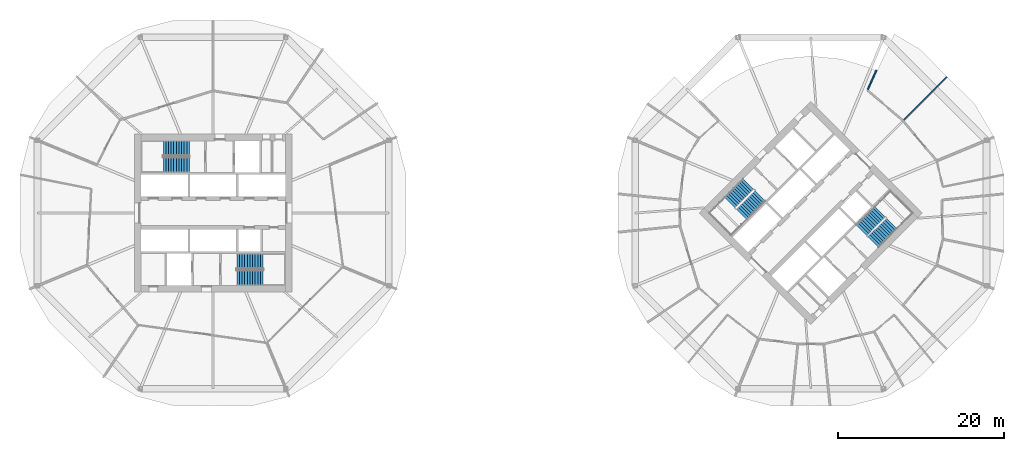
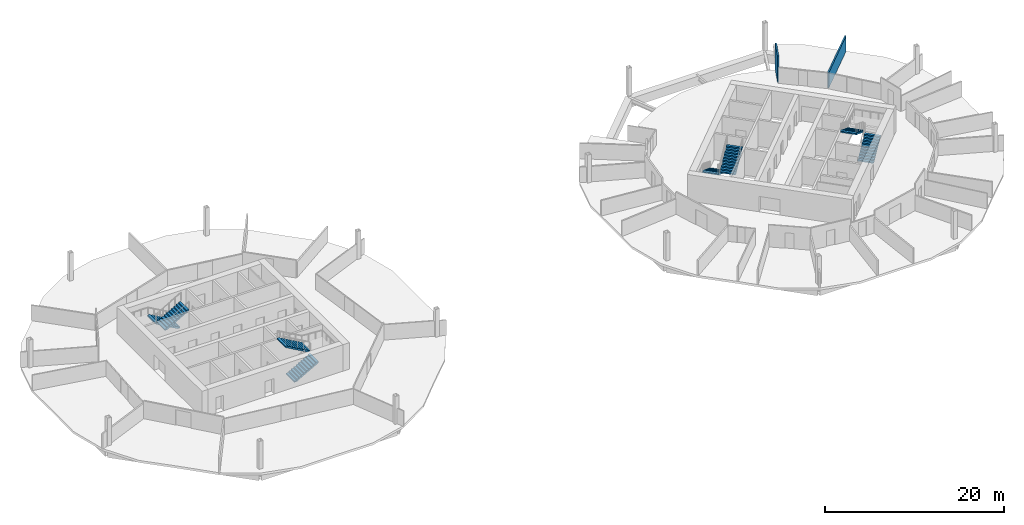
# One storey, part 8 of 9: 8 stair flights, 2 walls, 4 elements without a shape of their own.
"""IFC4 building model written with IfcOpenShell, lengths in metres."""

from ifc_helpers import new_model, si_unit, direction, frame, frame_2d, origin, place, context, subcontext, project, spatial, polyline, rectangle, outline, extrude, material, layer, layer_set, type_object, element, aggregate, save


model = new_model("IFC4")

# Units and contexts
model_context = context("Model", 3, precision=1e-05, world=origin(), true_north=direction((0.0, 1.0)))
body_context = subcontext(model_context, "Body", "Model", "MODEL_VIEW")
ifc_project = project(units=[si_unit("LENGTHUNIT", "METRE"), si_unit("AREAUNIT", "SQUARE_METRE"), si_unit("VOLUMEUNIT", "CUBIC_METRE"), si_unit("PLANEANGLEUNIT", "RADIAN"), si_unit("MASSUNIT", "GRAM", prefix="KILO")], contexts=[model_context])

# Site, building, storey
site_placement = place(None, origin())
site = spatial("IfcSite", under=ifc_project, at=site_placement, CompositionType="ELEMENT")
building_placement = place(site_placement, origin())
building = spatial("IfcBuilding", under=site, at=building_placement, Name="Ogive Gate Towers", CompositionType="ELEMENT")
storey_placement = place(building_placement, frame((0.0, 0.0, 67.5)))
storey = spatial("IfcBuildingStorey", under=building, at=storey_placement, Name="L15", CompositionType="ELEMENT", Elevation=67.5)

# Walls
ifc_material_1 = material(Name="Gypsum board acoustic partition")
ifc_layer = layer(ifc_material_1, 0.175048828125)
ifc_layer_set = layer_set([ifc_layer], Name="Acoustic partition 175")
wall_type = type_object("IfcWallType", Name="Acoustic partition 175", PredefinedType="PARTITIONING", material=ifc_layer_set)
wall_1_placement = place(storey_placement, frame((52.411376953125, 16.411376953125, 0.0), z_axis=(0.0, 0.0, 1.0), x_axis=(-0.707106781187, -0.707106781187, 0.0)))
element("IfcWall", 1, at=wall_1_placement, inside=storey, type_object=wall_type, Name="Partition T2-L15-004", PredefinedType="PARTITIONING", context=body_context, shape_type="SweptSolid", body=[
    extrude(rectangle(XDim=7.40673828125, YDim=0.175048828125, at=frame_2d((3.703369140625, 0.0))), origin(), (0.0, 0.0, 1.0), 2.10009765625),
])
wall_2_placement = place(storey_placement, frame((43.919189453125, 17.218994140625, 0.0), z_axis=(0.0, 0.0, 1.0), x_axis=(-0.411528057748, -0.911397091112, 0.0)))
element("IfcWall", 2, at=wall_2_placement, inside=storey, type_object=wall_type, Name="Partition T2-L15-005", PredefinedType="PARTITIONING", context=body_context, shape_type="SweptSolid", body=[
    extrude(rectangle(XDim=2.564697265625, YDim=0.175048828125, at=frame_2d((1.2822265625, 0.0))), origin(), (0.0, 0.0, 1.0), 3.60009765625),
])

# Stair, stair flights
ifc_material_2 = material(Name="Concrete C40/50", Category="concrete")
stair_type = type_object("IfcStairType", Name="Escape stair 1840 wide", PredefinedType="HALF_TURN_STAIR", material=ifc_material_2)
stair_1_placement = place(storey_placement, origin())
stair_1 = element("IfcStair", 3, at=stair_1_placement, inside=storey, type_object=stair_type, Name="L15 Escape stair 1", PredefinedType="HALF_TURN_STAIR")
stair_flight_type = type_object("IfcStairFlightType", Name="Stair flight 1840 wide", PredefinedType="STRAIGHT", material=ifc_material_2)
stair_flight_1_placement = place(storey_placement, frame((-38.864990234375, 7.780029296875, 0.0), z_axis=(0.0, 0.0, 1.0), x_axis=(-1.0, 0.0, 0.0)))
stair_flight_1 = element("IfcStairFlight", 4, at=stair_flight_1_placement, type_object=stair_flight_type, Name="ST1 flight 1", NumberOfRisers=11, NumberOfTreads=10, PredefinedType="STRAIGHT", RiserHeight=0.177272727, TreadLength=0.313636364, context=body_context, shape_type="SweptSolid", body=[
    extrude(outline(polyline([(0.0, 0.0), (0.0, 0.17724609375), (0.313720703125, 0.17724609375), (0.313720703125, 0.3544921875), (0.627197265625, 0.3544921875), (0.627197265625, 0.53173828125), (0.94091796875, 0.53173828125), (0.94091796875, 0.708984375), (1.254638671875, 0.708984375), (1.254638671875, 0.886474609375), (1.568115234375, 0.886474609375), (1.568115234375, 1.063720703125), (1.8818359375, 1.063720703125), (1.8818359375, 1.240966796875), (2.195556640625, 1.240966796875), (2.195556640625, 1.418212890625), (2.509033203125, 1.418212890625), (2.509033203125, 1.595458984375), (2.82275390625, 1.595458984375), (2.82275390625, 1.772705078125), (3.136474609375, 1.772705078125), (3.136474609375, 1.949951171875), (3.136474609375, 1.6005859375), (0.3046875, 0.0), (0.0, 0.0)])), frame((0.0, 0.919921875, 0.0), z_axis=(0.0, -1.0, 0.0), x_axis=(1.0, 0.0, 0.0)), (0.0, 0.0, 1.0), 1.840087890625),
])
stair_flight_2_placement = place(storey_placement, frame((-42.00146484375, 5.794921875, 1.949951171875), z_axis=(0.0, 0.0, 1.0), x_axis=(1.0, 0.0, 0.0)))
stair_flight_2 = element("IfcStairFlight", 5, at=stair_flight_2_placement, type_object=stair_flight_type, Name="ST1 flight 2", NumberOfRisers=11, NumberOfTreads=10, PredefinedType="STRAIGHT", RiserHeight=0.177272727, TreadLength=0.313636364, context=body_context, shape_type="SweptSolid", body=[
    extrude(outline(polyline([(0.0, 0.0), (0.0, 0.17724609375), (0.313720703125, 0.17724609375), (0.313720703125, 0.3544921875), (0.627197265625, 0.3544921875), (0.627197265625, 0.53173828125), (0.94091796875, 0.53173828125), (0.94091796875, 0.708984375), (1.254638671875, 0.708984375), (1.254638671875, 0.886474609375), (1.568115234375, 0.886474609375), (1.568115234375, 1.063720703125), (1.8818359375, 1.063720703125), (1.8818359375, 1.240966796875), (2.195556640625, 1.240966796875), (2.195556640625, 1.418212890625), (2.509033203125, 1.418212890625), (2.509033203125, 1.595458984375), (2.82275390625, 1.595458984375), (2.82275390625, 1.772705078125), (3.136474609375, 1.772705078125), (3.136474609375, 1.949951171875), (3.136474609375, 1.6005859375), (0.3046875, 0.0), (0.0, 0.0)])), frame((0.0, 0.919921875, 0.0), z_axis=(0.0, -1.0, 0.0), x_axis=(1.0, 0.0, 0.0)), (0.0, 0.0, 1.0), 1.840087890625),
])
aggregate(stair_1, [stair_flight_1, stair_flight_2])

stair_2_placement = place(storey_placement, origin())
stair_2 = element("IfcStair", 6, at=stair_2_placement, inside=storey, type_object=stair_type, Name="L15 Escape stair 2", PredefinedType="HALF_TURN_STAIR")
stair_flight_3_placement = place(storey_placement, frame((-33.135009765625, -7.780029296875, 0.0), z_axis=(0.0, 0.0, 1.0), x_axis=(1.0, 0.0, 0.0)))
stair_flight_3 = element("IfcStairFlight", 7, at=stair_flight_3_placement, type_object=stair_flight_type, Name="ST2 flight 1", NumberOfRisers=11, NumberOfTreads=10, PredefinedType="STRAIGHT", RiserHeight=0.177272727, TreadLength=0.313636364, context=body_context, shape_type="SweptSolid", body=[
    extrude(outline(polyline([(0.0, 0.0), (0.0, 0.17724609375), (0.313720703125, 0.17724609375), (0.313720703125, 0.3544921875), (0.627197265625, 0.3544921875), (0.627197265625, 0.53173828125), (0.94091796875, 0.53173828125), (0.94091796875, 0.708984375), (1.254638671875, 0.708984375), (1.254638671875, 0.886474609375), (1.568115234375, 0.886474609375), (1.568115234375, 1.063720703125), (1.8818359375, 1.063720703125), (1.8818359375, 1.240966796875), (2.195556640625, 1.240966796875), (2.195556640625, 1.418212890625), (2.509033203125, 1.418212890625), (2.509033203125, 1.595458984375), (2.82275390625, 1.595458984375), (2.82275390625, 1.772705078125), (3.136474609375, 1.772705078125), (3.136474609375, 1.949951171875), (3.136474609375, 1.6005859375), (0.3046875, 0.0), (0.0, 0.0)])), frame((0.0, 0.919921875, 0.0), z_axis=(0.0, -1.0, 0.0), x_axis=(1.0, 0.0, 0.0)), (0.0, 0.0, 1.0), 1.840087890625),
])
stair_flight_4_placement = place(storey_placement, frame((-29.99853515625, -5.794921875, 1.949951171875), z_axis=(0.0, 0.0, 1.0), x_axis=(-1.0, 0.0, 0.0)))
stair_flight_4 = element("IfcStairFlight", 8, at=stair_flight_4_placement, type_object=stair_flight_type, Name="ST2 flight 2", NumberOfRisers=11, NumberOfTreads=10, PredefinedType="STRAIGHT", RiserHeight=0.177272727, TreadLength=0.313636364, context=body_context, shape_type="SweptSolid", body=[
    extrude(outline(polyline([(0.0, 0.0), (0.0, 0.17724609375), (0.313720703125, 0.17724609375), (0.313720703125, 0.3544921875), (0.627197265625, 0.3544921875), (0.627197265625, 0.53173828125), (0.94091796875, 0.53173828125), (0.94091796875, 0.708984375), (1.254638671875, 0.708984375), (1.254638671875, 0.886474609375), (1.568115234375, 0.886474609375), (1.568115234375, 1.063720703125), (1.8818359375, 1.063720703125), (1.8818359375, 1.240966796875), (2.195556640625, 1.240966796875), (2.195556640625, 1.418212890625), (2.509033203125, 1.418212890625), (2.509033203125, 1.595458984375), (2.82275390625, 1.595458984375), (2.82275390625, 1.772705078125), (3.136474609375, 1.772705078125), (3.136474609375, 1.949951171875), (3.136474609375, 1.6005859375), (0.3046875, 0.0), (0.0, 0.0)])), frame((0.0, 0.919921875, 0.0), z_axis=(0.0, -1.0, 0.0), x_axis=(1.0, 0.0, 0.0)), (0.0, 0.0, 1.0), 1.840087890625),
])
aggregate(stair_2, [stair_flight_3, stair_flight_4])

stair_3_placement = place(storey_placement, origin())
stair_3 = element("IfcStair", 9, at=stair_3_placement, inside=storey, type_object=stair_type, Name="L15 Escape stair 1", PredefinedType="HALF_TURN_STAIR")
stair_flight_5_placement = place(storey_placement, frame((28.472900390625, 3.475341796875, 0.0), z_axis=(0.0, 0.0, 1.0), x_axis=(-0.707106781187, -0.707106781187, 0.0)))
stair_flight_5 = element("IfcStairFlight", 10, at=stair_flight_5_placement, type_object=stair_flight_type, Name="ST1 flight 1", NumberOfRisers=11, NumberOfTreads=10, PredefinedType="STRAIGHT", RiserHeight=0.177272727, TreadLength=0.313636364, context=body_context, shape_type="SweptSolid", body=[
    extrude(outline(polyline([(0.0, 0.0), (0.0, 0.17724609375), (0.313720703125, 0.17724609375), (0.313720703125, 0.3544921875), (0.627197265625, 0.3544921875), (0.627197265625, 0.53173828125), (0.94091796875, 0.53173828125), (0.94091796875, 0.708984375), (1.254638671875, 0.708984375), (1.254638671875, 0.886474609375), (1.568115234375, 0.886474609375), (1.568115234375, 1.063720703125), (1.8818359375, 1.063720703125), (1.8818359375, 1.240966796875), (2.195556640625, 1.240966796875), (2.195556640625, 1.418212890625), (2.509033203125, 1.418212890625), (2.509033203125, 1.595458984375), (2.82275390625, 1.595458984375), (2.82275390625, 1.772705078125), (3.136474609375, 1.772705078125), (3.136474609375, 1.949951171875), (3.136474609375, 1.6005859375), (0.3046875, 0.0), (0.0, 0.0)])), frame((0.0, 0.919921875, 0.0), z_axis=(0.0, -1.0, 0.0), x_axis=(1.0, 0.0, 0.0)), (0.0, 0.0, 1.0), 1.840087890625),
])
stair_flight_6_placement = place(storey_placement, frame((27.65869140625, -0.14599609375, 1.949951171875), z_axis=(0.0, 0.0, 1.0), x_axis=(0.707106781187, 0.707106781187, 0.0)))
stair_flight_6 = element("IfcStairFlight", 11, at=stair_flight_6_placement, type_object=stair_flight_type, Name="ST1 flight 2", NumberOfRisers=11, NumberOfTreads=10, PredefinedType="STRAIGHT", RiserHeight=0.177272727, TreadLength=0.313636364, context=body_context, shape_type="SweptSolid", body=[
    extrude(outline(polyline([(0.0, 0.0), (0.0, 0.17724609375), (0.313720703125, 0.17724609375), (0.313720703125, 0.3544921875), (0.627197265625, 0.3544921875), (0.627197265625, 0.53173828125), (0.94091796875, 0.53173828125), (0.94091796875, 0.708984375), (1.254638671875, 0.708984375), (1.254638671875, 0.886474609375), (1.568115234375, 0.886474609375), (1.568115234375, 1.063720703125), (1.8818359375, 1.063720703125), (1.8818359375, 1.240966796875), (2.195556640625, 1.240966796875), (2.195556640625, 1.418212890625), (2.509033203125, 1.418212890625), (2.509033203125, 1.595458984375), (2.82275390625, 1.595458984375), (2.82275390625, 1.772705078125), (3.136474609375, 1.772705078125), (3.136474609375, 1.949951171875), (3.136474609375, 1.6005859375), (0.3046875, 0.0), (0.0, 0.0)])), frame((0.0, 0.919921875, 0.0), z_axis=(0.0, -1.0, 0.0), x_axis=(1.0, 0.0, 0.0)), (0.0, 0.0, 1.0), 1.840087890625),
])
aggregate(stair_3, [stair_flight_5, stair_flight_6])

stair_4_placement = place(storey_placement, origin())
stair_4 = element("IfcStair", 12, at=stair_4_placement, inside=storey, type_object=stair_type, Name="L15 Escape stair 2", PredefinedType="HALF_TURN_STAIR")
stair_flight_7_placement = place(storey_placement, frame((43.527099609375, -3.475341796875, 0.0), z_axis=(0.0, 0.0, 1.0), x_axis=(0.707106781187, 0.707106781187, 0.0)))
stair_flight_7 = element("IfcStairFlight", 13, at=stair_flight_7_placement, type_object=stair_flight_type, Name="ST2 flight 1", NumberOfRisers=11, NumberOfTreads=10, PredefinedType="STRAIGHT", RiserHeight=0.177272727, TreadLength=0.313636364, context=body_context, shape_type="SweptSolid", body=[
    extrude(outline(polyline([(0.0, 0.0), (0.0, 0.17724609375), (0.313720703125, 0.17724609375), (0.313720703125, 0.3544921875), (0.627197265625, 0.3544921875), (0.627197265625, 0.53173828125), (0.94091796875, 0.53173828125), (0.94091796875, 0.708984375), (1.254638671875, 0.708984375), (1.254638671875, 0.886474609375), (1.568115234375, 0.886474609375), (1.568115234375, 1.063720703125), (1.8818359375, 1.063720703125), (1.8818359375, 1.240966796875), (2.195556640625, 1.240966796875), (2.195556640625, 1.418212890625), (2.509033203125, 1.418212890625), (2.509033203125, 1.595458984375), (2.82275390625, 1.595458984375), (2.82275390625, 1.772705078125), (3.136474609375, 1.772705078125), (3.136474609375, 1.949951171875), (3.136474609375, 1.6005859375), (0.3046875, 0.0), (0.0, 0.0)])), frame((0.0, 0.919921875, 0.0), z_axis=(0.0, -1.0, 0.0), x_axis=(1.0, 0.0, 0.0)), (0.0, 0.0, 1.0), 1.840087890625),
])
stair_flight_8_placement = place(storey_placement, frame((44.34130859375, 0.14599609375, 1.949951171875), z_axis=(0.0, 0.0, 1.0), x_axis=(-0.707106781187, -0.707106781187, 0.0)))
stair_flight_8 = element("IfcStairFlight", 14, at=stair_flight_8_placement, type_object=stair_flight_type, Name="ST2 flight 2", NumberOfRisers=11, NumberOfTreads=10, PredefinedType="STRAIGHT", RiserHeight=0.177272727, TreadLength=0.313636364, context=body_context, shape_type="SweptSolid", body=[
    extrude(outline(polyline([(0.0, 0.0), (0.0, 0.17724609375), (0.313720703125, 0.17724609375), (0.313720703125, 0.3544921875), (0.627197265625, 0.3544921875), (0.627197265625, 0.53173828125), (0.94091796875, 0.53173828125), (0.94091796875, 0.708984375), (1.254638671875, 0.708984375), (1.254638671875, 0.886474609375), (1.568115234375, 0.886474609375), (1.568115234375, 1.063720703125), (1.8818359375, 1.063720703125), (1.8818359375, 1.240966796875), (2.195556640625, 1.240966796875), (2.195556640625, 1.418212890625), (2.509033203125, 1.418212890625), (2.509033203125, 1.595458984375), (2.82275390625, 1.595458984375), (2.82275390625, 1.772705078125), (3.136474609375, 1.772705078125), (3.136474609375, 1.949951171875), (3.136474609375, 1.6005859375), (0.3046875, 0.0), (0.0, 0.0)])), frame((0.0, 0.919921875, 0.0), z_axis=(0.0, -1.0, 0.0), x_axis=(1.0, 0.0, 0.0)), (0.0, 0.0, 1.0), 1.840087890625),
])
aggregate(stair_4, [stair_flight_7, stair_flight_8])

save(model, "model.ifc")
